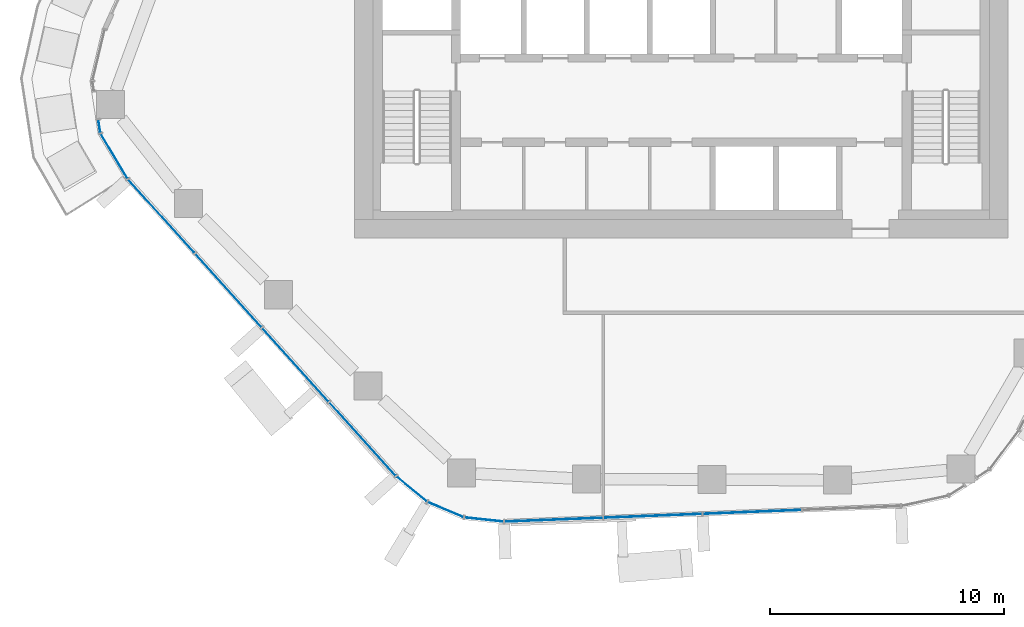
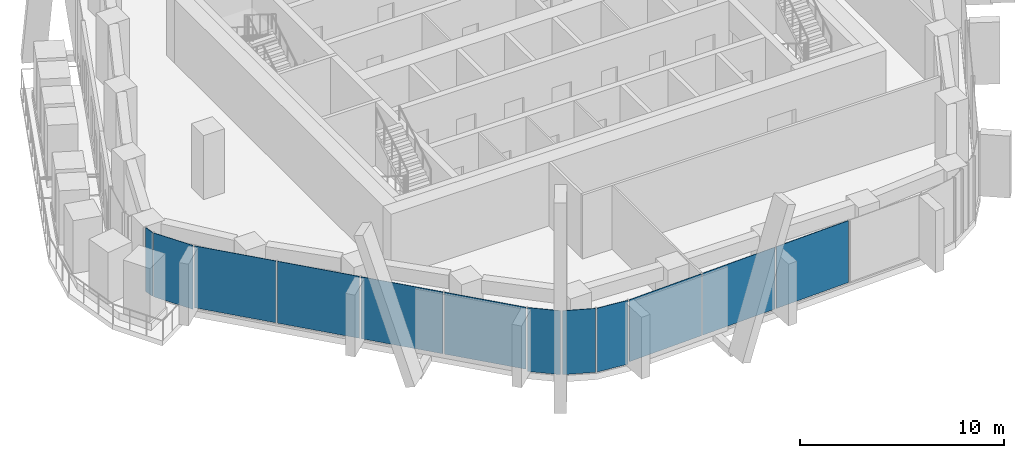
# One storey, part 7 of 19: 12 plates, 4 elements without a shape of their own.
"""IFC4 building model written with IfcOpenShell, lengths in metres."""

from ifc_helpers import new_model, si_unit, direction, frame, origin, origin_2d, place, context, subcontext, project, spatial, rectangle, extrude, material, layer, layer_set, type_object, element, aggregate, save


model = new_model("IFC4")

# Units and contexts
model_context = context("Model", 3, precision=1e-05, world=origin(), true_north=direction((0.0, 1.0)))
body_context = subcontext(model_context, "Body", "Model", "MODEL_VIEW")
ifc_project = project(units=[si_unit("LENGTHUNIT", "METRE"), si_unit("AREAUNIT", "SQUARE_METRE"), si_unit("VOLUMEUNIT", "CUBIC_METRE"), si_unit("PLANEANGLEUNIT", "RADIAN"), si_unit("MASSUNIT", "GRAM", prefix="KILO")], contexts=[model_context])

# Site, building, storey
site_placement = place(None, origin())
site = spatial("IfcSite", under=ifc_project, at=site_placement, CompositionType="ELEMENT")
building_placement = place(site_placement, origin())
building = spatial("IfcBuilding", under=site, at=building_placement, Name="Dongbaek Canopy Tower", CompositionType="ELEMENT")
storey_placement = place(building_placement, frame((0.0, 0.0, 198.800048828125)))
storey = spatial("IfcBuildingStorey", under=building, at=storey_placement, Name="L41", CompositionType="ELEMENT", Elevation=198.800048828125)

# Curtain wall, plates
ifc_material_1 = material(Name="Aluminium 6063-T6 pale anodised", Category="aluminium")
ifc_layer_1 = layer(ifc_material_1, 0.199951171875)
ifc_layer_set_1 = layer_set([ifc_layer_1], Name="CW-1 unitised tower curtain wall")
curtain_wall_type = type_object("IfcCurtainWallType", Name="CW-1 unitised tower curtain wall", PredefinedType="NOTDEFINED", material=ifc_layer_set_1)
curtain_wall_1_placement = place(storey_placement, origin())
curtain_wall_1 = element("IfcCurtainWall", 1, at=curtain_wall_1_placement, inside=storey, type_object=curtain_wall_type, Name="CW-1 curtain wall K3.1b", PredefinedType="NOTDEFINED")
ifc_material_2 = material(Name="Clear laminated glass", Category="glass")
ifc_layer_2 = layer(ifc_material_2, 0.028076171875)
ifc_layer_set_2 = layer_set([ifc_layer_2], Name="CW-1 glazed panel 28")
plate_type = type_object("IfcPlateType", Name="CW-1 glazed panel 28", PredefinedType="CURTAIN_PANEL", material=ifc_layer_set_2)
plate_1_placement = place(storey_placement, frame((-24.920166015625, -6.219482421875, 0.0), z_axis=(0.0, 0.0, 1.0), x_axis=(0.15271309761, -0.988270565088, 0.0)))
plate_1 = element("IfcPlate", 2, at=plate_1_placement, type_object=plate_type, Name="CW-1 panel K3.1b.1.1", PredefinedType="CURTAIN_PANEL", context=body_context, shape_type="SweptSolid", body=[
    extrude(rectangle(XDim=0.53466796875, YDim=0.028076171875, at=origin_2d()), origin(), (0.0, 0.0, 1.0), 3.820068359375),
])
plate_2_placement = place(storey_placement, frame((-24.2861328125, -7.502685546875, 0.0), z_axis=(0.0, 0.0, 1.0), x_axis=(0.514682794995, -0.857380674226, 0.0)))
plate_2 = element("IfcPlate", 3, at=plate_2_placement, type_object=plate_type, Name="CW-1 panel K3.1b.2.1", PredefinedType="CURTAIN_PANEL", context=body_context, shape_type="SweptSolid", body=[
    extrude(rectangle(XDim=2.196044921875, YDim=0.028076171875, at=origin_2d()), origin(), (0.0, 0.0, 1.0), 3.820068359375),
])
aggregate(curtain_wall_1, [plate_1, plate_2])

curtain_wall_2_placement = place(storey_placement, origin())
curtain_wall_2 = element("IfcCurtainWall", 4, at=curtain_wall_2_placement, inside=storey, type_object=curtain_wall_type, Name="CW-1 curtain wall F3.1", PredefinedType="NOTDEFINED")
plate_3_placement = place(storey_placement, frame((-22.265380859375, -10.068603515625, 0.1201171875), z_axis=(0.0, 0.0, 1.0), x_axis=(0.670067681014, -0.742300008663, 0.0)))
plate_3 = element("IfcPlate", 5, at=plate_3_placement, type_object=plate_type, Name="CW-1 panel F3.1.1.1", PredefinedType="CURTAIN_PANEL", context=body_context, shape_type="SweptSolid", body=[
    extrude(rectangle(XDim=4.195556640625, YDim=0.028076171875, at=origin_2d()), origin(), (0.0, 0.0, 1.0), 3.699951171875),
])
plate_4_placement = place(storey_placement, frame((-19.39453125, -13.2490234375, 0.1201171875), z_axis=(0.0, 0.0, 1.0), x_axis=(0.670067681014, -0.742300008663, 0.0)))
plate_4 = element("IfcPlate", 6, at=plate_4_placement, type_object=plate_type, Name="CW-1 panel F3.1.2.1", PredefinedType="CURTAIN_PANEL", context=body_context, shape_type="SweptSolid", body=[
    extrude(rectangle(XDim=4.205322265625, YDim=0.028076171875, at=origin_2d()), origin(), (0.0, 0.0, 1.0), 3.699951171875),
])
plate_5_placement = place(storey_placement, frame((-16.5205078125, -16.432861328125, 0.1201171875), z_axis=(0.0, 0.0, 1.0), x_axis=(0.670067681014, -0.742300008663, 0.0)))
plate_5 = element("IfcPlate", 7, at=plate_5_placement, type_object=plate_type, Name="CW-1 panel F3.1.3.1", PredefinedType="CURTAIN_PANEL", context=body_context, shape_type="SweptSolid", body=[
    extrude(rectangle(XDim=4.205322265625, YDim=0.028076171875, at=origin_2d()), origin(), (0.0, 0.0, 1.0), 3.699951171875),
])
plate_6_placement = place(storey_placement, frame((-13.648681640625, -19.6142578125, 0.1201171875), z_axis=(0.0, 0.0, 1.0), x_axis=(0.670067681014, -0.742300008663, 0.0)))
plate_6 = element("IfcPlate", 8, at=plate_6_placement, type_object=plate_type, Name="CW-1 panel F3.1.4.1", PredefinedType="CURTAIN_PANEL", context=body_context, shape_type="SweptSolid", body=[
    extrude(rectangle(XDim=4.197998046875, YDim=0.028076171875, at=origin_2d()), origin(), (0.0, 0.0, 1.0), 3.699951171875),
])
aggregate(curtain_wall_2, [plate_3, plate_4, plate_5, plate_6])

curtain_wall_3_placement = place(storey_placement, origin())
curtain_wall_3 = element("IfcCurtainWall", 9, at=curtain_wall_3_placement, inside=storey, type_object=curtain_wall_type, Name="CW-1 curtain wall K4.1", PredefinedType="NOTDEFINED")
plate_7_placement = place(storey_placement, frame((-11.5498046875, -21.752197265625, 0.0), z_axis=(0.0, 0.0, 1.0), x_axis=(0.770906856921, -0.63694789265, 0.0)))
plate_7 = element("IfcPlate", 10, at=plate_7_placement, type_object=plate_type, Name="CW-1 panel K4.1.1.1", PredefinedType="CURTAIN_PANEL", context=body_context, shape_type="SweptSolid", body=[
    extrude(rectangle(XDim=1.639404296875, YDim=0.028076171875, at=origin_2d()), origin(), (0.0, 0.0, 1.0), 3.820068359375),
])
plate_8_placement = place(storey_placement, frame((-10.094970703125, -22.634033203125, 0.0), z_axis=(0.0, 0.0, 1.0), x_axis=(0.921603256524, -0.388133272941, 0.0)))
plate_8 = element("IfcPlate", 11, at=plate_8_placement, type_object=plate_type, Name="CW-1 panel K4.1.2.1", PredefinedType="CURTAIN_PANEL", context=body_context, shape_type="SweptSolid", body=[
    extrude(rectangle(XDim=1.6318359375, YDim=0.028076171875, at=origin_2d()), origin(), (0.0, 0.0, 1.0), 3.820068359375),
])
plate_9_placement = place(storey_placement, frame((-8.447509765625, -23.058837890625, 0.0), z_axis=(0.0, 0.0, 1.0), x_axis=(0.994315321329, -0.106475545413, 0.0)))
plate_9 = element("IfcPlate", 12, at=plate_9_placement, type_object=plate_type, Name="CW-1 panel K4.1.3.1", PredefinedType="CURTAIN_PANEL", context=body_context, shape_type="SweptSolid", body=[
    extrude(rectangle(XDim=1.639404296875, YDim=0.028076171875, at=origin_2d()), origin(), (0.0, 0.0, 1.0), 3.820068359375),
])
aggregate(curtain_wall_3, [plate_7, plate_8, plate_9])

curtain_wall_4_placement = place(storey_placement, origin())
curtain_wall_4 = element("IfcCurtainWall", 13, at=curtain_wall_4_placement, inside=storey, type_object=curtain_wall_type, Name="CW-1 curtain wall F4.1", PredefinedType="NOTDEFINED")
plate_10_placement = place(storey_placement, frame((-5.467041015625, -23.067138671875, 0.1201171875), z_axis=(0.0, 0.0, 1.0), x_axis=(0.999228406114, 0.039275850271, 0.0)))
plate_10 = element("IfcPlate", 14, at=plate_10_placement, type_object=plate_type, Name="CW-1 panel F4.1.1.1", PredefinedType="CURTAIN_PANEL", context=body_context, shape_type="SweptSolid", body=[
    extrude(rectangle(XDim=4.166259765625, YDim=0.028076171875, at=origin_2d()), origin(), (0.0, 0.0, 1.0), 3.699951171875),
])
plate_11_placement = place(storey_placement, frame((-1.216552734375, -22.900146484375, 0.1201171875), z_axis=(0.0, 0.0, 1.0), x_axis=(0.999228406114, 0.039275850271, 0.0)))
plate_11 = element("IfcPlate", 15, at=plate_11_placement, type_object=plate_type, Name="CW-1 panel F4.1.2.1", PredefinedType="CURTAIN_PANEL", context=body_context, shape_type="SweptSolid", body=[
    extrude(rectangle(XDim=4.173583984375, YDim=0.028076171875, at=origin_2d()), origin(), (0.0, 0.0, 1.0), 3.699951171875),
])
plate_12_placement = place(storey_placement, frame((3.037841796875, -22.73291015625, 0.1201171875), z_axis=(0.0, 0.0, 1.0), x_axis=(0.999228406114, 0.039275850271, 0.0)))
plate_12 = element("IfcPlate", 16, at=plate_12_placement, type_object=plate_type, Name="CW-1 panel F4.1.3.1", PredefinedType="CURTAIN_PANEL", context=body_context, shape_type="SweptSolid", body=[
    extrude(rectangle(XDim=4.173583984375, YDim=0.028076171875, at=origin_2d()), origin(), (0.0, 0.0, 1.0), 3.699951171875),
])
aggregate(curtain_wall_4, [plate_10, plate_11, plate_12])

save(model, "model.ifc")
